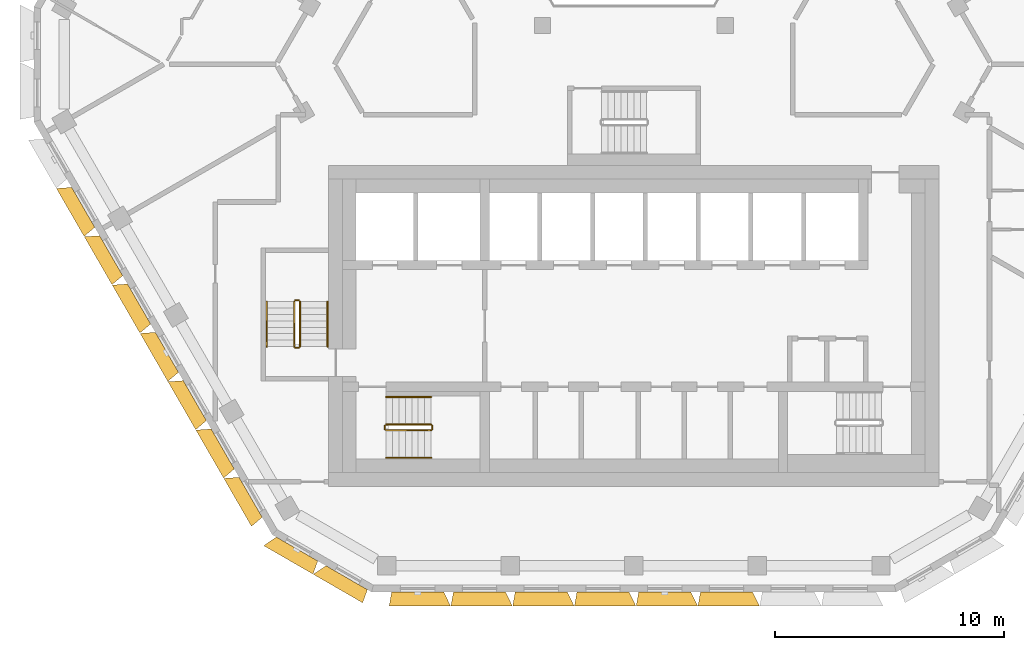
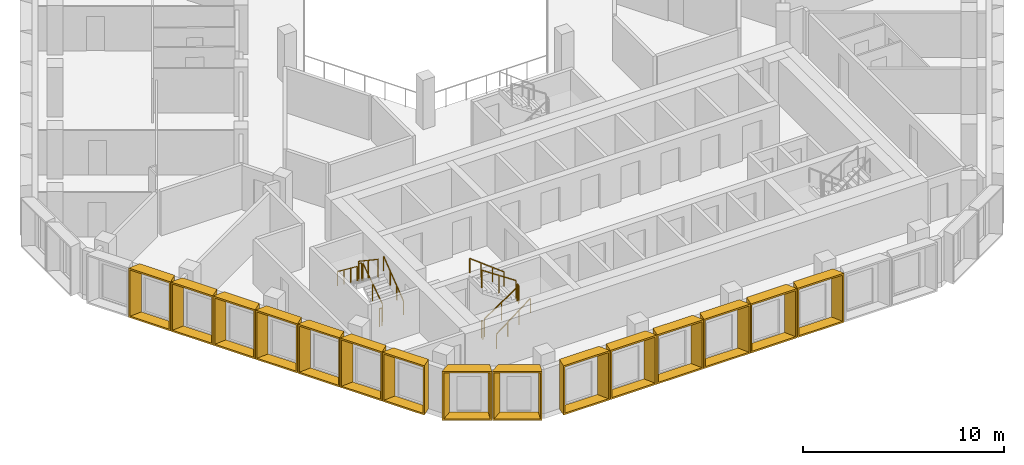
# One storey, part 13 of 17: 15 shading devices, 12 railings.
"""IFC4 building model written with IfcOpenShell, lengths in metres."""

from ifc_helpers import new_model, entity, si_unit, direction, frame, origin, origin_2d, place, context, subcontext, project, spatial, rectangle, extrude, source, transform, mapped, material, type_object, type_shapes, element, save


model = new_model("IFC4")

# Units and contexts
model_context = context("Model", 3, precision=1e-05, world=origin(), true_north=direction((0.0, 1.0)))
body_context = subcontext(model_context, "Body", "Model", "MODEL_VIEW")
ifc_project = project(units=[si_unit("LENGTHUNIT", "METRE"), si_unit("AREAUNIT", "SQUARE_METRE"), si_unit("VOLUMEUNIT", "CUBIC_METRE"), si_unit("PLANEANGLEUNIT", "RADIAN"), si_unit("MASSUNIT", "GRAM", prefix="KILO")], contexts=[model_context])

# Site, building, storey
site_placement = place(None, origin())
site = spatial("IfcSite", under=ifc_project, at=site_placement, CompositionType="ELEMENT")
building_placement = place(site_placement, origin())
building = spatial("IfcBuilding", under=site, at=building_placement, Name="Beryl Residences", CompositionType="ELEMENT")
storey_placement = place(building_placement, frame((0.0, 0.0, 172.199951171875)))
storey = spatial("IfcBuildingStorey", under=building, at=storey_placement, Name="L52", CompositionType="ELEMENT", Elevation=172.199951171875)

# Shading devices
ifc_material_1 = material(Name="Aluminium pale anodised", Category="aluminium")
shading_device_type_1 = type_object("IfcShadingDeviceType", Name="FR243-60B OUTER SKIN frame 600 mm deep, splay 26/10 deg, 2430 x 3000 mm cell", PredefinedType="USERDEFINED", material=ifc_material_1)
cartesian_point_1 = entity("IfcCartesianPoint", [-1.005615234375, 0.0])
cartesian_point_2 = entity("IfcCartesianPoint", [-0.91650390625, 0.10009765625])
cartesian_point_3 = entity("IfcCartesianPoint", [-1.298095703125, 0.0])
cartesian_point_4 = entity("IfcCartesianPoint", [-1.209228515625, 0.10009765625])
shared_shape_1 = source(origin(), body_context, "Body", "SweptSolid", [
    entity("IfcExtrudedAreaSolidTapered", entity("IfcArbitraryProfileDefWithVoids", "AREA", None, entity("IfcPolyline", [cartesian_point_1, entity("IfcCartesianPoint", [1.005615234375, 0.0]), entity("IfcCartesianPoint", [1.005615234375, 3.0]), entity("IfcCartesianPoint", [-1.005615234375, 3.0]), cartesian_point_1]), [entity("IfcPolyline", [cartesian_point_2, entity("IfcCartesianPoint", [0.92431640625, 0.10009765625]), entity("IfcCartesianPoint", [0.92431640625, 2.89990234375]), entity("IfcCartesianPoint", [-0.91650390625, 2.89990234375]), cartesian_point_2])]), entity("IfcAxis2Placement3D", entity("IfcCartesianPoint", [0.0, 0.0, 0.0]), entity("IfcDirection", [0.0, 1.0, 0.0]), entity("IfcDirection", [-1.0, 0.0, 0.0])), entity("IfcDirection", [0.0, 0.0, 1.0]), 0.60009765625, entity("IfcArbitraryProfileDefWithVoids", "AREA", None, entity("IfcPolyline", [cartesian_point_3, entity("IfcCartesianPoint", [1.111328125, 0.0]), entity("IfcCartesianPoint", [1.111328125, 3.0]), entity("IfcCartesianPoint", [-1.298095703125, 3.0]), cartesian_point_3]), [entity("IfcPolyline", [cartesian_point_4, entity("IfcCartesianPoint", [1.030029296875, 0.10009765625]), entity("IfcCartesianPoint", [1.030029296875, 2.89990234375]), entity("IfcCartesianPoint", [-1.209228515625, 2.89990234375]), cartesian_point_4])])),
])
type_shapes(shading_device_type_1, [shared_shape_1])
for number, where, z_axis, x_axis, name in (
    (1, (-23.9970703125, -6.833984375, 0.0), (0.0, 0.0, 1.0), (-0.5, 0.866025403784, 0.0), "FR243-60B frame L52 SW 2"),
    (2, (-22.781005859375, -8.93994140625, 0.0), (0.0, 0.0, 1.0), (-0.5, 0.866025403784, 0.0), "FR243-60B frame L52 SW 3"),
    (3, (-21.56494140625, -11.0458984375, 0.0), (0.0, 0.0, 1.0), (-0.5, 0.866025403784, 0.0), "FR243-60B frame L52 SW 4"),
    (4, (-20.35009765625, -13.152099609375, 0.0), (0.0, 0.0, 1.0), (-0.5, 0.866025403784, 0.0), "FR243-60B frame L52 SW 5"),
    (5, (-19.134033203125, -15.258056640625, 0.0), (0.0, 0.0, 1.0), (-0.5, 0.866025403784, 0.0), "FR243-60B frame L52 SW 6"),
    (6, (-17.91796875, -17.364990234375, 0.0), (0.0, 0.0, 1.0), (-0.5, 0.866025403784, 0.0), "FR243-60B frame L52 SW 7"),
    (7, (-16.701904296875, -19.470947265625, 0.0), (0.0, 0.0, 1.0), (-0.5, 0.866025403784, 0.0), "FR243-60B frame L52 SW 8"),
):
    element("IfcShadingDevice", number, at=place(storey_placement, frame(where, z_axis=z_axis, x_axis=x_axis)), inside=storey, type_object=shading_device_type_1, Name=name, ObjectType="OUTER SKIN", PredefinedType="USERDEFINED", context=body_context, shape_type="MappedRepresentation", body=[
        mapped(shared_shape_1, transform((0.0, 0.0, 0.0))),
    ])
ifc_material_2 = material(Name="Aluminium pale anodised", Category="aluminium")
shading_device_type_2 = type_object("IfcShadingDeviceType", Name="FR250-60B OUTER SKIN frame 600 mm deep, splay 26/10 deg, 2500 x 3000 mm cell", PredefinedType="USERDEFINED", material=ifc_material_2)
cartesian_point_5 = entity("IfcCartesianPoint", [-1.04052734375, 0.0])
cartesian_point_6 = entity("IfcCartesianPoint", [-0.951416015625, 0.10009765625])
cartesian_point_7 = entity("IfcCartesianPoint", [-1.333251953125, 0.0])
cartesian_point_8 = entity("IfcCartesianPoint", [-1.244140625, 0.10009765625])
shared_shape_2 = source(origin(), body_context, "Body", "SweptSolid", [
    entity("IfcExtrudedAreaSolidTapered", entity("IfcArbitraryProfileDefWithVoids", "AREA", None, entity("IfcPolyline", [cartesian_point_5, entity("IfcCartesianPoint", [1.04052734375, 0.0]), entity("IfcCartesianPoint", [1.04052734375, 3.0]), entity("IfcCartesianPoint", [-1.04052734375, 3.0]), cartesian_point_5]), [entity("IfcPolyline", [cartesian_point_6, entity("IfcCartesianPoint", [0.959228515625, 0.10009765625]), entity("IfcCartesianPoint", [0.959228515625, 2.89990234375]), entity("IfcCartesianPoint", [-0.951416015625, 2.89990234375]), cartesian_point_6])]), entity("IfcAxis2Placement3D", entity("IfcCartesianPoint", [0.0, 0.0, 0.0]), entity("IfcDirection", [0.0, 1.0, 0.0]), entity("IfcDirection", [-1.0, 0.0, 0.0])), entity("IfcDirection", [0.0, 0.0, 1.0]), 0.60009765625, entity("IfcArbitraryProfileDefWithVoids", "AREA", None, entity("IfcPolyline", [cartesian_point_7, entity("IfcCartesianPoint", [1.146240234375, 0.0]), entity("IfcCartesianPoint", [1.146240234375, 3.0]), entity("IfcCartesianPoint", [-1.333251953125, 3.0]), cartesian_point_7]), [entity("IfcPolyline", [cartesian_point_8, entity("IfcCartesianPoint", [1.06494140625, 0.10009765625]), entity("IfcCartesianPoint", [1.06494140625, 2.89990234375]), entity("IfcCartesianPoint", [-1.244140625, 2.89990234375]), cartesian_point_8])])),
])
type_shapes(shading_device_type_2, [shared_shape_2])
for number, where, z_axis, x_axis, name in (
    (8, (-14.677978515625, -21.72509765625, 0.0), (0.0, 0.0, 1.0), (-0.866025403784, 0.5, 0.0), "FR250-60B frame L52 SW-S 1"),
    (9, (-12.513916015625, -22.97509765625, 0.0), (0.0, 0.0, 1.0), (-0.866025403784, 0.5, 0.0), "FR250-60B frame L52 SW-S 2"),
):
    element("IfcShadingDevice", number, at=place(storey_placement, frame(where, z_axis=z_axis, x_axis=x_axis)), inside=storey, type_object=shading_device_type_2, Name=name, ObjectType="OUTER SKIN", PredefinedType="USERDEFINED", context=body_context, shape_type="MappedRepresentation", body=[
        mapped(shared_shape_2, transform((0.0, 0.0, 0.0))),
    ])
ifc_material_3 = material(Name="Aluminium pale anodised", Category="aluminium")
shading_device_type_3 = type_object("IfcShadingDeviceType", Name="FR269-60C OUTER SKIN frame 600 mm deep, splay 10/26 deg, 2690 x 3000 mm cell", PredefinedType="USERDEFINED", material=ifc_material_3)
cartesian_point_9 = entity("IfcCartesianPoint", [-1.135498046875, 0.0])
cartesian_point_10 = entity("IfcCartesianPoint", [-1.05419921875, 0.10009765625])
cartesian_point_11 = entity("IfcCartesianPoint", [-1.2412109375, 0.0])
cartesian_point_12 = entity("IfcCartesianPoint", [-1.16015625, 0.10009765625])
shared_shape_3 = source(origin(), body_context, "Body", "SweptSolid", [
    entity("IfcExtrudedAreaSolidTapered", entity("IfcArbitraryProfileDefWithVoids", "AREA", None, entity("IfcPolyline", [cartesian_point_9, entity("IfcCartesianPoint", [1.135498046875, 0.0]), entity("IfcCartesianPoint", [1.135498046875, 3.0]), entity("IfcCartesianPoint", [-1.135498046875, 3.0]), cartesian_point_9]), [entity("IfcPolyline", [cartesian_point_10, entity("IfcCartesianPoint", [1.04638671875, 0.10009765625]), entity("IfcCartesianPoint", [1.04638671875, 2.89990234375]), entity("IfcCartesianPoint", [-1.05419921875, 2.89990234375]), cartesian_point_10])]), entity("IfcAxis2Placement3D", entity("IfcCartesianPoint", [0.0, 0.0, 0.0]), entity("IfcDirection", [0.0, 1.0, 0.0]), entity("IfcDirection", [-1.0, 0.0, 0.0])), entity("IfcDirection", [0.0, 0.0, 1.0]), 0.60009765625, entity("IfcArbitraryProfileDefWithVoids", "AREA", None, entity("IfcPolyline", [cartesian_point_11, entity("IfcCartesianPoint", [1.42822265625, 0.0]), entity("IfcCartesianPoint", [1.42822265625, 3.0]), entity("IfcCartesianPoint", [-1.2412109375, 3.0]), cartesian_point_11]), [entity("IfcPolyline", [cartesian_point_12, entity("IfcCartesianPoint", [1.339111328125, 0.10009765625]), entity("IfcCartesianPoint", [1.339111328125, 2.89990234375]), entity("IfcCartesianPoint", [-1.16015625, 2.89990234375]), cartesian_point_12])])),
])
type_shapes(shading_device_type_3, [shared_shape_3])
for number, where, z_axis, x_axis, name in (
    (10, (-9.4208984375, -23.60009765625, 0.0), (0.0, 0.0, 1.0), (-1.0, 0.0, 0.0), "FR269-60C frame L52 S 1"),
    (11, (-6.72900390625, -23.60009765625, 0.0), (0.0, 0.0, 1.0), (-1.0, 0.0, 0.0), "FR269-60C frame L52 S 2"),
    (12, (-4.037109375, -23.60009765625, 0.0), (0.0, 0.0, 1.0), (-1.0, 0.0, 0.0), "FR269-60C frame L52 S 3"),
    (13, (-1.344970703125, -23.60009765625, 0.0), (0.0, 0.0, 1.0), (-1.0, 0.0, 0.0), "FR269-60C frame L52 S 4"),
    (14, (1.346923828125, -23.60009765625, 0.0), (0.0, 0.0, 1.0), (-1.0, 0.0, 0.0), "FR269-60C frame L52 S 5"),
    (15, (4.0390625, -23.60009765625, 0.0), (0.0, 0.0, 1.0), (-1.0, 0.0, 0.0), "FR269-60C frame L52 S 6"),
):
    element("IfcShadingDevice", number, at=place(storey_placement, frame(where, z_axis=z_axis, x_axis=x_axis)), inside=storey, type_object=shading_device_type_3, Name=name, ObjectType="OUTER SKIN", PredefinedType="USERDEFINED", context=body_context, shape_type="MappedRepresentation", body=[
        mapped(shared_shape_3, transform((0.0, 0.0, 0.0))),
    ])

# Railings
ifc_material_4 = material(Name="Stainless steel balustrade with glass infill", Category="steel")
railing_type_1 = type_object("IfcRailingType", Name="SG1 stair guard 1100 mm", PredefinedType="GUARDRAIL", material=ifc_material_4)
railing_1_placement = place(storey_placement, frame((-10.800048828125, -16.550048828125, 0.1875)))
element("IfcRailing", 16, at=railing_1_placement, inside=storey, type_object=railing_type_1, Name="L52 ST-1 stair guard 1", PredefinedType="GUARDRAIL", context=body_context, shape_type="SweptSolid", body=[
    extrude(rectangle(XDim=0.048095703125, YDim=0.048095703125, at=origin_2d()), frame((0.0, 0.0, 1.076171875), z_axis=(0.830902050051, 0.0, 0.556418712142), x_axis=(0.0, 1.0, 0.0)), (0.0, 0.0, 1.0), 2.35888671875),
    extrude(rectangle(XDim=0.0419921875, YDim=0.0419921875, at=origin_2d()), origin(), (0.0, 0.0, 1.0), 1.052001953125),
    extrude(rectangle(XDim=0.0419921875, YDim=0.0419921875, at=origin_2d()), frame((0.97998046875, 0.0, 0.65625)), (0.0, 0.0, 1.0), 1.052001953125),
    extrude(rectangle(XDim=0.0419921875, YDim=0.0419921875, at=origin_2d()), frame((1.9599609375, 0.0, 1.3125)), (0.0, 0.0, 1.0), 1.052001953125),
])
railing_2_placement = place(storey_placement, frame((-8.7900390625, -16.5, 1.5)))
element("IfcRailing", 17, at=railing_2_placement, inside=storey, type_object=railing_type_1, Name="L52 ST-1 stair guard 2", PredefinedType="GUARDRAIL", context=body_context, shape_type="SweptSolid", body=[
    extrude(rectangle(XDim=0.048095703125, YDim=0.048095703125, at=origin_2d()), frame((0.0, 0.0, 1.076171875), z_axis=(0.0, 1.0, 0.0), x_axis=(-1.0, 0.0, 0.0)), (0.0, 0.0, 1.0), 0.14990234375),
    extrude(rectangle(XDim=0.0419921875, YDim=0.0419921875, at=origin_2d()), origin(), (0.0, 0.0, 1.0), 1.052001953125),
    extrude(rectangle(XDim=0.0419921875, YDim=0.0419921875, at=origin_2d()), frame((0.0, 0.14990234375, 0.0)), (0.0, 0.0, 1.0), 1.052001953125),
])
railing_3_placement = place(storey_placement, frame((-8.840087890625, -16.300048828125, 1.6875)))
element("IfcRailing", 18, at=railing_3_placement, inside=storey, type_object=railing_type_1, Name="L52 ST-1 stair guard 3", PredefinedType="GUARDRAIL", context=body_context, shape_type="SweptSolid", body=[
    extrude(rectangle(XDim=0.048095703125, YDim=0.048095703125, at=origin_2d()), frame((0.0, 0.0, 1.076171875), z_axis=(-0.830902050051, 0.0, 0.556418712142), x_axis=(0.0, -1.0, 0.0)), (0.0, 0.0, 1.0), 2.35888671875),
    extrude(rectangle(XDim=0.0419921875, YDim=0.0419921875, at=origin_2d()), origin(), (0.0, 0.0, 1.0), 1.052001953125),
    extrude(rectangle(XDim=0.0419921875, YDim=0.0419921875, at=origin_2d()), frame((-0.97998046875, 0.0, 0.65625)), (0.0, 0.0, 1.0), 1.052001953125),
    extrude(rectangle(XDim=0.0419921875, YDim=0.0419921875, at=origin_2d()), frame((-1.9599609375, 0.0, 1.3125)), (0.0, 0.0, 1.0), 1.052001953125),
])
railing_4_placement = place(storey_placement, frame((-10.85009765625, -16.5, 0.0)))
element("IfcRailing", 19, at=railing_4_placement, inside=storey, type_object=railing_type_1, Name="L52 ST-1 stair guard 4", PredefinedType="GUARDRAIL", context=body_context, shape_type="SweptSolid", body=[
    extrude(rectangle(XDim=0.048095703125, YDim=0.048095703125, at=origin_2d()), frame((0.0, 0.0, 1.076171875), z_axis=(0.0, 1.0, 0.0), x_axis=(-1.0, 0.0, 0.0)), (0.0, 0.0, 1.0), 0.14990234375),
    extrude(rectangle(XDim=0.0419921875, YDim=0.0419921875, at=origin_2d()), origin(), (0.0, 0.0, 1.0), 1.052001953125),
    extrude(rectangle(XDim=0.0419921875, YDim=0.0419921875, at=origin_2d()), frame((0.0, 0.14990234375, 0.0)), (0.0, 0.0, 1.0), 1.052001953125),
])
railing_5_placement = place(storey_placement, frame((-14.550048828125, -12.89990234375, 0.1875)))
element("IfcRailing", 20, at=railing_5_placement, inside=storey, type_object=railing_type_1, Name="L52 ST-2 stair guard 1", PredefinedType="GUARDRAIL", context=body_context, shape_type="SweptSolid", body=[
    extrude(rectangle(XDim=0.048095703125, YDim=0.048095703125, at=origin_2d()), frame((0.0, 0.0, 1.076171875), z_axis=(0.0, 0.830902050051, 0.556418712142), x_axis=(-1.0, 0.0, 0.0)), (0.0, 0.0, 1.0), 2.35888671875),
    extrude(rectangle(XDim=0.0419921875, YDim=0.0419921875, at=origin_2d()), origin(), (0.0, 0.0, 1.0), 1.052001953125),
    extrude(rectangle(XDim=0.0419921875, YDim=0.0419921875, at=origin_2d()), frame((0.0, 0.97998046875, 0.65625)), (0.0, 0.0, 1.0), 1.052001953125),
    extrude(rectangle(XDim=0.0419921875, YDim=0.0419921875, at=origin_2d()), frame((0.0, 1.9599609375, 1.3125)), (0.0, 0.0, 1.0), 1.052001953125),
])
railing_6_placement = place(storey_placement, frame((-14.60009765625, -10.889892578125, 1.5)))
element("IfcRailing", 21, at=railing_6_placement, inside=storey, type_object=railing_type_1, Name="L52 ST-2 stair guard 2", PredefinedType="GUARDRAIL", context=body_context, shape_type="SweptSolid", body=[
    extrude(rectangle(XDim=0.048095703125, YDim=0.048095703125, at=origin_2d()), frame((0.0, 0.0, 1.076171875), z_axis=(-1.0, 0.0, 0.0), x_axis=(0.0, -1.0, 0.0)), (0.0, 0.0, 1.0), 0.14990234375),
    extrude(rectangle(XDim=0.0419921875, YDim=0.0419921875, at=origin_2d()), origin(), (0.0, 0.0, 1.0), 1.052001953125),
    extrude(rectangle(XDim=0.0419921875, YDim=0.0419921875, at=origin_2d()), frame((-0.14990234375, 0.0, 0.0)), (0.0, 0.0, 1.0), 1.052001953125),
])
railing_7_placement = place(storey_placement, frame((-14.800048828125, -10.93994140625, 1.6875)))
element("IfcRailing", 22, at=railing_7_placement, inside=storey, type_object=railing_type_1, Name="L52 ST-2 stair guard 3", PredefinedType="GUARDRAIL", context=body_context, shape_type="SweptSolid", body=[
    extrude(rectangle(XDim=0.048095703125, YDim=0.048095703125, at=origin_2d()), frame((0.0, 0.0, 1.076171875), z_axis=(0.0, -0.830902050051, 0.556418712142), x_axis=(1.0, 0.0, 0.0)), (0.0, 0.0, 1.0), 2.35888671875),
    extrude(rectangle(XDim=0.0419921875, YDim=0.0419921875, at=origin_2d()), origin(), (0.0, 0.0, 1.0), 1.052001953125),
    extrude(rectangle(XDim=0.0419921875, YDim=0.0419921875, at=origin_2d()), frame((0.0, -0.97998046875, 0.65625)), (0.0, 0.0, 1.0), 1.052001953125),
    extrude(rectangle(XDim=0.0419921875, YDim=0.0419921875, at=origin_2d()), frame((0.0, -1.9599609375, 1.3125)), (0.0, 0.0, 1.0), 1.052001953125),
])
railing_8_placement = place(storey_placement, frame((-14.60009765625, -12.949951171875, 0.0)))
element("IfcRailing", 23, at=railing_8_placement, inside=storey, type_object=railing_type_1, Name="L52 ST-2 stair guard 4", PredefinedType="GUARDRAIL", context=body_context, shape_type="SweptSolid", body=[
    extrude(rectangle(XDim=0.048095703125, YDim=0.048095703125, at=origin_2d()), frame((0.0, 0.0, 1.076171875), z_axis=(-1.0, 0.0, 0.0), x_axis=(0.0, -1.0, 0.0)), (0.0, 0.0, 1.0), 0.14990234375),
    extrude(rectangle(XDim=0.0419921875, YDim=0.0419921875, at=origin_2d()), origin(), (0.0, 0.0, 1.0), 1.052001953125),
    extrude(rectangle(XDim=0.0419921875, YDim=0.0419921875, at=origin_2d()), frame((-0.14990234375, 0.0, 0.0)), (0.0, 0.0, 1.0), 1.052001953125),
])
ifc_material_5 = material(Name="Stainless steel handrail", Category="steel")
railing_type_2 = type_object("IfcRailingType", Name="SRL1 stair handrail 900 mm", PredefinedType="HANDRAIL", material=ifc_material_5)
railing_9_placement = place(storey_placement, frame((-10.800048828125, -17.75, 0.1875)))
element("IfcRailing", 24, at=railing_9_placement, inside=storey, type_object=railing_type_2, Name="L52 ST-1 stair handrail 1", PredefinedType="HANDRAIL", context=body_context, shape_type="SweptSolid", body=[
    extrude(rectangle(XDim=0.048095703125, YDim=0.048095703125, at=origin_2d()), frame((0.0, 0.0, 0.8759765625), z_axis=(0.794121922505, 0.0, 0.607758481798), x_axis=(0.0, 1.0, 0.0)), (0.0, 0.0, 1.0), 2.468017578125),
    extrude(rectangle(XDim=0.0419921875, YDim=0.0419921875, at=origin_2d()), origin(), (0.0, 0.0, 1.0), 0.851806640625),
    extrude(rectangle(XDim=0.0419921875, YDim=0.0419921875, at=origin_2d()), frame((0.6533203125, 0.0, 0.5)), (0.0, 0.0, 1.0), 0.851806640625),
    extrude(rectangle(XDim=0.0419921875, YDim=0.0419921875, at=origin_2d()), frame((1.306640625, 0.0, 1.0)), (0.0, 0.0, 1.0), 0.851806640625),
    extrude(rectangle(XDim=0.0419921875, YDim=0.0419921875, at=origin_2d()), frame((1.9599609375, 0.0, 1.5)), (0.0, 0.0, 1.0), 0.851806640625),
])
railing_10_placement = place(storey_placement, frame((-8.840087890625, -15.10009765625, 1.6875)))
element("IfcRailing", 25, at=railing_10_placement, inside=storey, type_object=railing_type_2, Name="L52 ST-1 stair handrail 2", PredefinedType="HANDRAIL", context=body_context, shape_type="SweptSolid", body=[
    extrude(rectangle(XDim=0.048095703125, YDim=0.048095703125, at=origin_2d()), frame((0.0, 0.0, 0.8759765625), z_axis=(-0.794121922505, 0.0, 0.607758481798), x_axis=(0.0, -1.0, 0.0)), (0.0, 0.0, 1.0), 2.468017578125),
    extrude(rectangle(XDim=0.0419921875, YDim=0.0419921875, at=origin_2d()), origin(), (0.0, 0.0, 1.0), 0.851806640625),
    extrude(rectangle(XDim=0.0419921875, YDim=0.0419921875, at=origin_2d()), frame((-0.6533203125, 0.0, 0.5)), (0.0, 0.0, 1.0), 0.851806640625),
    extrude(rectangle(XDim=0.0419921875, YDim=0.0419921875, at=origin_2d()), frame((-1.306640625, 0.0, 1.0)), (0.0, 0.0, 1.0), 0.851806640625),
    extrude(rectangle(XDim=0.0419921875, YDim=0.0419921875, at=origin_2d()), frame((-1.9599609375, 0.0, 1.5)), (0.0, 0.0, 1.0), 0.851806640625),
])
railing_11_placement = place(storey_placement, frame((-13.35009765625, -12.89990234375, 0.1875)))
element("IfcRailing", 26, at=railing_11_placement, inside=storey, type_object=railing_type_2, Name="L52 ST-2 stair handrail 1", PredefinedType="HANDRAIL", context=body_context, shape_type="SweptSolid", body=[
    extrude(rectangle(XDim=0.048095703125, YDim=0.048095703125, at=origin_2d()), frame((0.0, 0.0, 0.8759765625), z_axis=(0.0, 0.794121922505, 0.607758481798), x_axis=(-1.0, 0.0, 0.0)), (0.0, 0.0, 1.0), 2.468017578125),
    extrude(rectangle(XDim=0.0419921875, YDim=0.0419921875, at=origin_2d()), origin(), (0.0, 0.0, 1.0), 0.851806640625),
    extrude(rectangle(XDim=0.0419921875, YDim=0.0419921875, at=origin_2d()), frame((0.0, 0.6533203125, 0.5)), (0.0, 0.0, 1.0), 0.851806640625),
    extrude(rectangle(XDim=0.0419921875, YDim=0.0419921875, at=origin_2d()), frame((0.0, 1.306640625, 1.0)), (0.0, 0.0, 1.0), 0.851806640625),
    extrude(rectangle(XDim=0.0419921875, YDim=0.0419921875, at=origin_2d()), frame((0.0, 1.9599609375, 1.5)), (0.0, 0.0, 1.0), 0.851806640625),
])
railing_12_placement = place(storey_placement, frame((-16.0, -10.93994140625, 1.6875)))
element("IfcRailing", 27, at=railing_12_placement, inside=storey, type_object=railing_type_2, Name="L52 ST-2 stair handrail 2", PredefinedType="HANDRAIL", context=body_context, shape_type="SweptSolid", body=[
    extrude(rectangle(XDim=0.048095703125, YDim=0.048095703125, at=origin_2d()), frame((0.0, 0.0, 0.8759765625), z_axis=(0.0, -0.794121922505, 0.607758481798), x_axis=(1.0, 0.0, 0.0)), (0.0, 0.0, 1.0), 2.468017578125),
    extrude(rectangle(XDim=0.0419921875, YDim=0.0419921875, at=origin_2d()), origin(), (0.0, 0.0, 1.0), 0.851806640625),
    extrude(rectangle(XDim=0.0419921875, YDim=0.0419921875, at=origin_2d()), frame((0.0, -0.6533203125, 0.5)), (0.0, 0.0, 1.0), 0.851806640625),
    extrude(rectangle(XDim=0.0419921875, YDim=0.0419921875, at=origin_2d()), frame((0.0, -1.306640625, 1.0)), (0.0, 0.0, 1.0), 0.851806640625),
    extrude(rectangle(XDim=0.0419921875, YDim=0.0419921875, at=origin_2d()), frame((0.0, -1.9599609375, 1.5)), (0.0, 0.0, 1.0), 0.851806640625),
])

save(model, "model.ifc")
